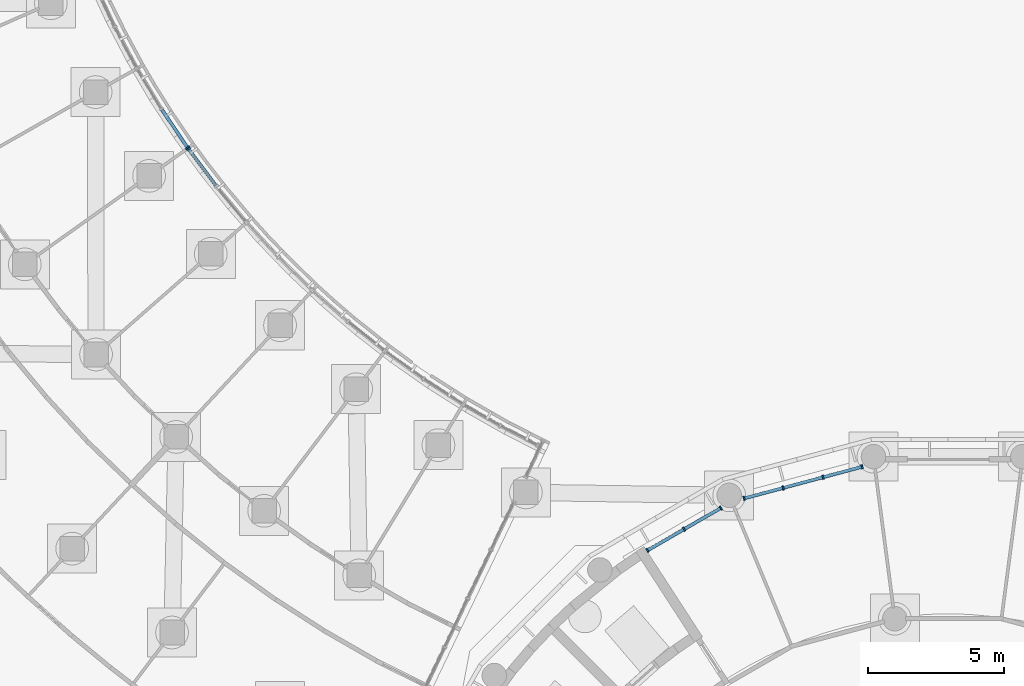
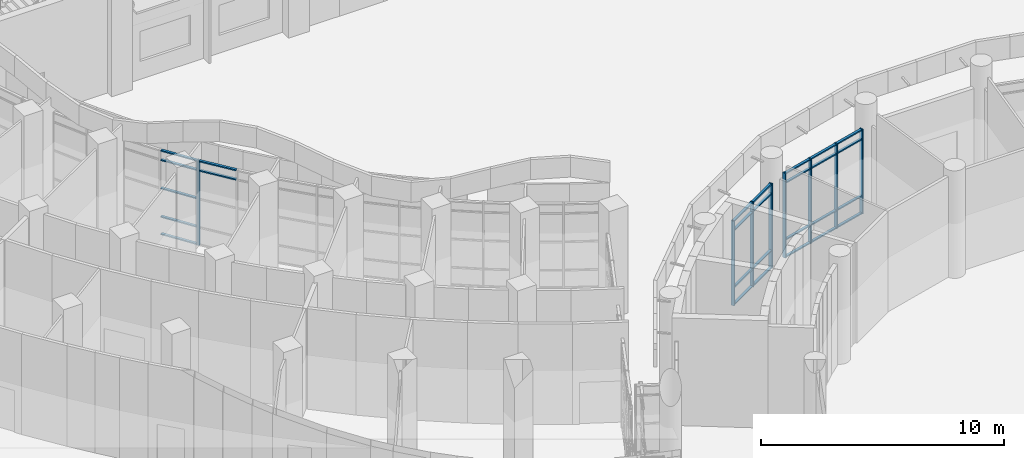
# One storey, part 28 of 146: 36 members, 4 elements without a shape of their own.
"""IFC4 building model written with IfcOpenShell, lengths in metres."""

from ifc_helpers import new_model, si_unit, direction, frame, origin, origin_2d, place, context, subcontext, project, spatial, rectangle, extrude, material, material_profile, profile_set, type_object, element, aggregate, save


model = new_model("IFC4")

# Units and contexts
model_context = context("Model", 3, precision=1e-05, world=origin(), true_north=direction((0.0, 1.0)))
body_context = subcontext(model_context, "Body", "Model", "MODEL_VIEW")
ifc_project = project(units=[si_unit("LENGTHUNIT", "METRE"), si_unit("AREAUNIT", "SQUARE_METRE"), si_unit("VOLUMEUNIT", "CUBIC_METRE"), si_unit("PLANEANGLEUNIT", "RADIAN"), si_unit("MASSUNIT", "GRAM", prefix="KILO")], contexts=[model_context])

# Site, building, storey
site_placement = place(None, origin())
site = spatial("IfcSite", under=ifc_project, at=site_placement, CompositionType="ELEMENT")
building_placement = place(site_placement, origin())
building = spatial("IfcBuilding", under=site, at=building_placement, Name="Bougainvillea Quay General Hospital", CompositionType="ELEMENT")
storey_placement = place(building_placement, origin())
storey = spatial("IfcBuildingStorey", under=building, at=storey_placement, Name="L00", CompositionType="ELEMENT", Elevation=0.0)

# Curtain wall, member
ifc_material_1 = material(Name="Aluminium curtain wall system, powder-coated glazed", Category="aluminium")
curtain_wall_type_1 = type_object("IfcCurtainWallType", Name="Unitised curtain wall CW-2100", PredefinedType="NOTDEFINED", material=ifc_material_1)
curtain_wall_1_placement = place(storey_placement, origin())
curtain_wall_1 = element("IfcCurtainWall", 1, at=curtain_wall_1_placement, inside=storey, type_object=curtain_wall_type_1, Name="CW-W05 a11b4", PredefinedType="NOTDEFINED")
ifc_material_2 = material(Name="Aluminium mullion, powder-coated charcoal", Category="aluminium")
ifc_material_profile_1 = material_profile(ifc_material_2, rectangle(XDim=0.159912109375, YDim=0.06005859375, at=origin_2d()))
ifc_profile_set_1 = profile_set([ifc_material_profile_1], Name="Aluminium mullion, powder-coated charcoal")
member_type_1 = type_object("IfcMemberType", Name="Curtain wall mullion 160x60", PredefinedType="MULLION", material=ifc_profile_set_1)
member_1_placement = place(storey_placement, frame((81.313720703125, 106.1162109375, 0.0), z_axis=(0.0, 0.0, 1.0), x_axis=(-0.799758007688, -0.600322520933, 0.0)))
member_1 = element("IfcMember", 2, at=member_1_placement, type_object=member_type_1, Name="CW-W05 mullion 3", PredefinedType="MULLION", context=body_context, shape_type="SweptSolid", body=[
    extrude(rectangle(XDim=0.159912109375, YDim=0.06005859375, at=origin_2d()), origin(), (0.0, 0.0, 1.0), 4.25),
])

curtain_wall_2_placement = place(storey_placement, origin())
curtain_wall_2 = element("IfcCurtainWall", 3, at=curtain_wall_2_placement, inside=storey, type_object=curtain_wall_type_1, Name="CW-W06 a11b5", PredefinedType="NOTDEFINED")
member_2_placement = place(storey_placement, frame((81.279052734375, 106.1650390625, 0.0), z_axis=(0.0, 0.0, 1.0), x_axis=(-0.82916442806, -0.55900478642, 0.0)))
member_2 = element("IfcMember", 4, at=member_2_placement, type_object=member_type_1, Name="CW-W06 mullion 1", PredefinedType="MULLION", context=body_context, shape_type="SweptSolid", body=[
    extrude(rectangle(XDim=0.159912109375, YDim=0.06005859375, at=origin_2d()), origin(), (0.0, 0.0, 1.0), 4.25),
])

# Curtain wall, members
curtain_wall_type_2 = type_object("IfcCurtainWallType", Name="Unitised curtain wall CW-1514", PredefinedType="NOTDEFINED", material=ifc_material_1)
curtain_wall_3_placement = place(storey_placement, origin())
curtain_wall_3 = element("IfcCurtainWall", 5, at=curtain_wall_3_placement, inside=storey, type_object=curtain_wall_type_2, Name="CW-D 00", PredefinedType="NOTDEFINED")
member_3_placement = place(storey_placement, frame((106.040771484375, 94.448974609375, 0.0), z_axis=(0.0, 0.0, 1.0), x_axis=(0.258854621298, -0.965916292974, 0.0)))
member_3 = element("IfcMember", 6, at=member_3_placement, type_object=member_type_1, Name="CW-D mullion 1", PredefinedType="MULLION", context=body_context, shape_type="SweptSolid", body=[
    extrude(rectangle(XDim=0.159912109375, YDim=0.06005859375, at=origin_2d()), origin(), (0.0, 0.0, 1.0), 4.25),
])
member_4_placement = place(storey_placement, frame((104.607421875, 94.06494140625, 0.0), z_axis=(0.0, 0.0, 1.0), x_axis=(0.258854621298, -0.965916292974, 0.0)))
member_4 = element("IfcMember", 7, at=member_4_placement, type_object=member_type_1, Name="CW-D mullion 2", PredefinedType="MULLION", context=body_context, shape_type="SweptSolid", body=[
    extrude(rectangle(XDim=0.159912109375, YDim=0.06005859375, at=origin_2d()), origin(), (0.0, 0.0, 1.0), 4.25),
])
member_5_placement = place(storey_placement, frame((103.14501953125, 93.673095703125, 0.0), z_axis=(0.0, 0.0, 1.0), x_axis=(0.258854621298, -0.965916292974, 0.0)))
member_5 = element("IfcMember", 8, at=member_5_placement, type_object=member_type_1, Name="CW-D mullion 3", PredefinedType="MULLION", context=body_context, shape_type="SweptSolid", body=[
    extrude(rectangle(XDim=0.159912109375, YDim=0.06005859375, at=origin_2d()), origin(), (0.0, 0.0, 1.0), 4.25),
])
member_6_placement = place(storey_placement, frame((101.711669921875, 93.2890625, 0.0), z_axis=(0.0, 0.0, 1.0), x_axis=(0.258854621298, -0.965916292974, 0.0)))
member_6 = element("IfcMember", 9, at=member_6_placement, type_object=member_type_1, Name="CW-D mullion 4", PredefinedType="MULLION", context=body_context, shape_type="SweptSolid", body=[
    extrude(rectangle(XDim=0.159912109375, YDim=0.06005859375, at=origin_2d()), origin(), (0.0, 0.0, 1.0), 4.25),
])

curtain_wall_type_3 = type_object("IfcCurtainWallType", Name="Unitised curtain wall CW-1585", PredefinedType="NOTDEFINED", material=ifc_material_1)
curtain_wall_4_placement = place(storey_placement, origin())
curtain_wall_4 = element("IfcCurtainWall", 10, at=curtain_wall_4_placement, inside=storey, type_object=curtain_wall_type_3, Name="CW-D 00", PredefinedType="NOTDEFINED")
member_7_placement = place(storey_placement, frame((100.85595703125, 92.9345703125, 0.0), z_axis=(0.0, 0.0, 1.0), x_axis=(0.499964557262, -0.866045865692, 0.0)))
member_7 = element("IfcMember", 11, at=member_7_placement, type_object=member_type_1, Name="CW-D mullion 1", PredefinedType="MULLION", context=body_context, shape_type="SweptSolid", body=[
    extrude(rectangle(XDim=0.159912109375, YDim=0.06005859375, at=origin_2d()), origin(), (0.0, 0.0, 1.0), 4.25),
])
member_8_placement = place(storey_placement, frame((99.50927734375, 92.156982421875, 0.0), z_axis=(0.0, 0.0, 1.0), x_axis=(0.499964557262, -0.866045865692, 0.0)))
member_8 = element("IfcMember", 12, at=member_8_placement, type_object=member_type_1, Name="CW-D mullion 2", PredefinedType="MULLION", context=body_context, shape_type="SweptSolid", body=[
    extrude(rectangle(XDim=0.159912109375, YDim=0.06005859375, at=origin_2d()), origin(), (0.0, 0.0, 1.0), 4.25),
])
member_9_placement = place(storey_placement, frame((98.16259765625, 91.379638671875, 0.0), z_axis=(0.0, 0.0, 1.0), x_axis=(0.499964557262, -0.866045865692, 0.0)))
member_9 = element("IfcMember", 13, at=member_9_placement, type_object=member_type_1, Name="CW-D mullion 3", PredefinedType="MULLION", context=body_context, shape_type="SweptSolid", body=[
    extrude(rectangle(XDim=0.159912109375, YDim=0.06005859375, at=origin_2d()), origin(), (0.0, 0.0, 1.0), 4.25),
])

# Member
ifc_material_3 = material(Name="Aluminium transom, powder-coated charcoal", Category="aluminium")
ifc_material_profile_2 = material_profile(ifc_material_3, rectangle(XDim=0.1201171875, YDim=0.06005859375, at=origin_2d()))
ifc_profile_set_2 = profile_set([ifc_material_profile_2], Name="Aluminium transom, powder-coated charcoal")
member_type_2 = type_object("IfcMemberType", Name="Curtain wall transom 120x60", PredefinedType="USERDEFINED", material=ifc_profile_set_2)
member_10_placement = place(storey_placement, frame((82.320556640625, 104.775146484375, 3.75), z_axis=(-0.600355707015, 0.799733096135, 0.0), x_axis=(-0.799733096135, -0.600355707015, 0.0)))
member_10 = element("IfcMember", 14, at=member_10_placement, type_object=member_type_2, Name="CW-W05 transom 2.4", ObjectType="TRANSOM", PredefinedType="USERDEFINED", context=body_context, shape_type="SweptSolid", body=[
    extrude(rectangle(XDim=0.1201171875, YDim=0.06005859375, at=origin_2d()), origin(), (0.0, 0.0, 1.0), 1.64697265625),
])

member_11_placement = place(storey_placement, frame((82.320556640625, 104.775146484375, 4.219970703125), z_axis=(-0.600355707015, 0.799733096135, 0.0), x_axis=(-0.799733096135, -0.600355707015, 0.0)))
member_11 = element("IfcMember", 15, at=member_11_placement, type_object=member_type_2, Name="CW-W05 transom 2.5", ObjectType="TRANSOM", PredefinedType="USERDEFINED", context=body_context, shape_type="SweptSolid", body=[
    extrude(rectangle(XDim=0.1201171875, YDim=0.06005859375, at=origin_2d()), origin(), (0.0, 0.0, 1.0), 1.64697265625),
])

aggregate(curtain_wall_1, [member_1, member_10, member_11])

member_12_placement = place(storey_placement, frame((81.26220703125, 106.18994140625, 0.030029296875), z_axis=(-0.559037395343, 0.829142442894, 0.0), x_axis=(-0.829142442894, -0.559037395343, 0.0)))
member_12 = element("IfcMember", 16, at=member_12_placement, type_object=member_type_2, Name="CW-W06 transom 1.1", ObjectType="TRANSOM", PredefinedType="USERDEFINED", context=body_context, shape_type="SweptSolid", body=[
    extrude(rectangle(XDim=0.1201171875, YDim=0.06005859375, at=origin_2d()), origin(), (0.0, 0.0, 1.0), 1.64697265625),
])

member_13_placement = place(storey_placement, frame((81.26220703125, 106.18994140625, 0.89990234375), z_axis=(-0.559037395343, 0.829142442894, 0.0), x_axis=(-0.829142442894, -0.559037395343, 0.0)))
member_13 = element("IfcMember", 17, at=member_13_placement, type_object=member_type_2, Name="CW-W06 transom 1.2", ObjectType="TRANSOM", PredefinedType="USERDEFINED", context=body_context, shape_type="SweptSolid", body=[
    extrude(rectangle(XDim=0.1201171875, YDim=0.06005859375, at=origin_2d()), origin(), (0.0, 0.0, 1.0), 1.64697265625),
])

member_14_placement = place(storey_placement, frame((81.26220703125, 106.18994140625, 2.324951171875), z_axis=(-0.559037395343, 0.829142442894, 0.0), x_axis=(-0.829142442894, -0.559037395343, 0.0)))
member_14 = element("IfcMember", 18, at=member_14_placement, type_object=member_type_2, Name="CW-W06 transom 1.3", ObjectType="TRANSOM", PredefinedType="USERDEFINED", context=body_context, shape_type="SweptSolid", body=[
    extrude(rectangle(XDim=0.1201171875, YDim=0.06005859375, at=origin_2d()), origin(), (0.0, 0.0, 1.0), 1.64697265625),
])

member_15_placement = place(storey_placement, frame((81.26220703125, 106.18994140625, 3.75), z_axis=(-0.559037395343, 0.829142442894, 0.0), x_axis=(-0.829142442894, -0.559037395343, 0.0)))
member_15 = element("IfcMember", 19, at=member_15_placement, type_object=member_type_2, Name="CW-W06 transom 1.4", ObjectType="TRANSOM", PredefinedType="USERDEFINED", context=body_context, shape_type="SweptSolid", body=[
    extrude(rectangle(XDim=0.1201171875, YDim=0.06005859375, at=origin_2d()), origin(), (0.0, 0.0, 1.0), 1.64697265625),
])

member_16_placement = place(storey_placement, frame((81.26220703125, 106.18994140625, 4.219970703125), z_axis=(-0.559037395343, 0.829142442894, 0.0), x_axis=(-0.829142442894, -0.559037395343, 0.0)))
member_16 = element("IfcMember", 20, at=member_16_placement, type_object=member_type_2, Name="CW-W06 transom 1.5", ObjectType="TRANSOM", PredefinedType="USERDEFINED", context=body_context, shape_type="SweptSolid", body=[
    extrude(rectangle(XDim=0.1201171875, YDim=0.06005859375, at=origin_2d()), origin(), (0.0, 0.0, 1.0), 1.64697265625),
])

aggregate(curtain_wall_2, [member_2, member_12, member_13, member_14, member_15, member_16])

member_17_placement = place(storey_placement, frame((106.01171875, 94.44140625, 0.030029296875), z_axis=(-0.965898291136, -0.258921785836, 0.0), x_axis=(0.258921785836, -0.965898291136, 0.0)))
member_17 = element("IfcMember", 21, at=member_17_placement, type_object=member_type_2, Name="CW-D transom 1.1", ObjectType="TRANSOM", PredefinedType="USERDEFINED", context=body_context, shape_type="SweptSolid", body=[
    extrude(rectangle(XDim=0.1201171875, YDim=0.06005859375, at=origin_2d()), origin(), (0.0, 0.0, 1.0), 1.423828125),
])

member_18_placement = place(storey_placement, frame((106.01171875, 94.44140625, 0.89990234375), z_axis=(-0.965898291136, -0.258921785836, 0.0), x_axis=(0.258921785836, -0.965898291136, 0.0)))
member_18 = element("IfcMember", 22, at=member_18_placement, type_object=member_type_2, Name="CW-D transom 1.2", ObjectType="TRANSOM", PredefinedType="USERDEFINED", context=body_context, shape_type="SweptSolid", body=[
    extrude(rectangle(XDim=0.1201171875, YDim=0.06005859375, at=origin_2d()), origin(), (0.0, 0.0, 1.0), 1.423828125),
])

member_19_placement = place(storey_placement, frame((106.01171875, 94.44140625, 3.75), z_axis=(-0.965898291136, -0.258921785836, 0.0), x_axis=(0.258921785836, -0.965898291136, 0.0)))
member_19 = element("IfcMember", 23, at=member_19_placement, type_object=member_type_2, Name="CW-D transom 1.3", ObjectType="TRANSOM", PredefinedType="USERDEFINED", context=body_context, shape_type="SweptSolid", body=[
    extrude(rectangle(XDim=0.1201171875, YDim=0.06005859375, at=origin_2d()), origin(), (0.0, 0.0, 1.0), 1.423828125),
])

member_20_placement = place(storey_placement, frame((106.01171875, 94.44140625, 4.219970703125), z_axis=(-0.965898291136, -0.258921785836, 0.0), x_axis=(0.258921785836, -0.965898291136, 0.0)))
member_20 = element("IfcMember", 24, at=member_20_placement, type_object=member_type_2, Name="CW-D transom 1.4", ObjectType="TRANSOM", PredefinedType="USERDEFINED", context=body_context, shape_type="SweptSolid", body=[
    extrude(rectangle(XDim=0.1201171875, YDim=0.06005859375, at=origin_2d()), origin(), (0.0, 0.0, 1.0), 1.423828125),
])

member_21_placement = place(storey_placement, frame((104.578369140625, 94.05712890625, 0.030029296875), z_axis=(-0.965936059001, -0.258780853081, 0.0), x_axis=(0.258780853081, -0.965936059001, 0.0)))
member_21 = element("IfcMember", 25, at=member_21_placement, type_object=member_type_2, Name="CW-D transom 2.1", ObjectType="TRANSOM", PredefinedType="USERDEFINED", context=body_context, shape_type="SweptSolid", body=[
    extrude(rectangle(XDim=0.1201171875, YDim=0.06005859375, at=origin_2d()), origin(), (0.0, 0.0, 1.0), 1.453857421875),
])

member_22_placement = place(storey_placement, frame((104.578369140625, 94.05712890625, 0.89990234375), z_axis=(-0.965936059001, -0.258780853081, 0.0), x_axis=(0.258780853081, -0.965936059001, 0.0)))
member_22 = element("IfcMember", 26, at=member_22_placement, type_object=member_type_2, Name="CW-D transom 2.2", ObjectType="TRANSOM", PredefinedType="USERDEFINED", context=body_context, shape_type="SweptSolid", body=[
    extrude(rectangle(XDim=0.1201171875, YDim=0.06005859375, at=origin_2d()), origin(), (0.0, 0.0, 1.0), 1.453857421875),
])

member_23_placement = place(storey_placement, frame((104.578369140625, 94.05712890625, 3.75), z_axis=(-0.965936059001, -0.258780853081, 0.0), x_axis=(0.258780853081, -0.965936059001, 0.0)))
member_23 = element("IfcMember", 27, at=member_23_placement, type_object=member_type_2, Name="CW-D transom 2.3", ObjectType="TRANSOM", PredefinedType="USERDEFINED", context=body_context, shape_type="SweptSolid", body=[
    extrude(rectangle(XDim=0.1201171875, YDim=0.06005859375, at=origin_2d()), origin(), (0.0, 0.0, 1.0), 1.453857421875),
])

member_24_placement = place(storey_placement, frame((104.578369140625, 94.05712890625, 4.219970703125), z_axis=(-0.965936059001, -0.258780853081, 0.0), x_axis=(0.258780853081, -0.965936059001, 0.0)))
member_24 = element("IfcMember", 28, at=member_24_placement, type_object=member_type_2, Name="CW-D transom 2.4", ObjectType="TRANSOM", PredefinedType="USERDEFINED", context=body_context, shape_type="SweptSolid", body=[
    extrude(rectangle(XDim=0.1201171875, YDim=0.06005859375, at=origin_2d()), origin(), (0.0, 0.0, 1.0), 1.453857421875),
])

member_25_placement = place(storey_placement, frame((103.115966796875, 93.665283203125, 0.030029296875), z_axis=(-0.965898291136, -0.258921785836, 0.0), x_axis=(0.258921785836, -0.965898291136, 0.0)))
member_25 = element("IfcMember", 29, at=member_25_placement, type_object=member_type_2, Name="CW-D transom 3.1", ObjectType="TRANSOM", PredefinedType="USERDEFINED", context=body_context, shape_type="SweptSolid", body=[
    extrude(rectangle(XDim=0.1201171875, YDim=0.06005859375, at=origin_2d()), origin(), (0.0, 0.0, 1.0), 1.423828125),
])

member_26_placement = place(storey_placement, frame((103.115966796875, 93.665283203125, 0.89990234375), z_axis=(-0.965898291136, -0.258921785836, 0.0), x_axis=(0.258921785836, -0.965898291136, 0.0)))
member_26 = element("IfcMember", 30, at=member_26_placement, type_object=member_type_2, Name="CW-D transom 3.2", ObjectType="TRANSOM", PredefinedType="USERDEFINED", context=body_context, shape_type="SweptSolid", body=[
    extrude(rectangle(XDim=0.1201171875, YDim=0.06005859375, at=origin_2d()), origin(), (0.0, 0.0, 1.0), 1.423828125),
])

member_27_placement = place(storey_placement, frame((103.115966796875, 93.665283203125, 3.75), z_axis=(-0.965898291136, -0.258921785836, 0.0), x_axis=(0.258921785836, -0.965898291136, 0.0)))
member_27 = element("IfcMember", 31, at=member_27_placement, type_object=member_type_2, Name="CW-D transom 3.3", ObjectType="TRANSOM", PredefinedType="USERDEFINED", context=body_context, shape_type="SweptSolid", body=[
    extrude(rectangle(XDim=0.1201171875, YDim=0.06005859375, at=origin_2d()), origin(), (0.0, 0.0, 1.0), 1.423828125),
])

member_28_placement = place(storey_placement, frame((103.115966796875, 93.665283203125, 4.219970703125), z_axis=(-0.965898291136, -0.258921785836, 0.0), x_axis=(0.258921785836, -0.965898291136, 0.0)))
member_28 = element("IfcMember", 32, at=member_28_placement, type_object=member_type_2, Name="CW-D transom 3.4", ObjectType="TRANSOM", PredefinedType="USERDEFINED", context=body_context, shape_type="SweptSolid", body=[
    extrude(rectangle(XDim=0.1201171875, YDim=0.06005859375, at=origin_2d()), origin(), (0.0, 0.0, 1.0), 1.423828125),
])

aggregate(curtain_wall_3, [member_3, member_4, member_5, member_6, member_17, member_18, member_19, member_20, member_21, member_22, member_23, member_24, member_25, member_26, member_27, member_28])

member_29_placement = place(storey_placement, frame((100.830078125, 92.91943359375, 0.030029296875), z_axis=(-0.866074087889, -0.499915667175, 0.0), x_axis=(0.499915667175, -0.866074087889, 0.0)))
member_29 = element("IfcMember", 33, at=member_29_placement, type_object=member_type_2, Name="CW-D transom 1.1", ObjectType="TRANSOM", PredefinedType="USERDEFINED", context=body_context, shape_type="SweptSolid", body=[
    extrude(rectangle(XDim=0.1201171875, YDim=0.06005859375, at=origin_2d()), origin(), (0.0, 0.0, 1.0), 1.494873046875),
])

member_30_placement = place(storey_placement, frame((100.830078125, 92.91943359375, 0.89990234375), z_axis=(-0.866074087889, -0.499915667175, 0.0), x_axis=(0.499915667175, -0.866074087889, 0.0)))
member_30 = element("IfcMember", 34, at=member_30_placement, type_object=member_type_2, Name="CW-D transom 1.2", ObjectType="TRANSOM", PredefinedType="USERDEFINED", context=body_context, shape_type="SweptSolid", body=[
    extrude(rectangle(XDim=0.1201171875, YDim=0.06005859375, at=origin_2d()), origin(), (0.0, 0.0, 1.0), 1.494873046875),
])

member_31_placement = place(storey_placement, frame((100.830078125, 92.91943359375, 3.75), z_axis=(-0.866074087889, -0.499915667175, 0.0), x_axis=(0.499915667175, -0.866074087889, 0.0)))
member_31 = element("IfcMember", 35, at=member_31_placement, type_object=member_type_2, Name="CW-D transom 1.3", ObjectType="TRANSOM", PredefinedType="USERDEFINED", context=body_context, shape_type="SweptSolid", body=[
    extrude(rectangle(XDim=0.1201171875, YDim=0.06005859375, at=origin_2d()), origin(), (0.0, 0.0, 1.0), 1.494873046875),
])

member_32_placement = place(storey_placement, frame((100.830078125, 92.91943359375, 4.219970703125), z_axis=(-0.866074087889, -0.499915667175, 0.0), x_axis=(0.499915667175, -0.866074087889, 0.0)))
member_32 = element("IfcMember", 36, at=member_32_placement, type_object=member_type_2, Name="CW-D transom 1.4", ObjectType="TRANSOM", PredefinedType="USERDEFINED", context=body_context, shape_type="SweptSolid", body=[
    extrude(rectangle(XDim=0.1201171875, YDim=0.06005859375, at=origin_2d()), origin(), (0.0, 0.0, 1.0), 1.494873046875),
])

member_33_placement = place(storey_placement, frame((99.4833984375, 92.14208984375, 0.030029296875), z_axis=(-0.866074087889, -0.499915667175, 0.0), x_axis=(0.499915667175, -0.866074087889, 0.0)))
member_33 = element("IfcMember", 37, at=member_33_placement, type_object=member_type_2, Name="CW-D transom 2.1", ObjectType="TRANSOM", PredefinedType="USERDEFINED", context=body_context, shape_type="SweptSolid", body=[
    extrude(rectangle(XDim=0.1201171875, YDim=0.06005859375, at=origin_2d()), origin(), (0.0, 0.0, 1.0), 1.494873046875),
])

member_34_placement = place(storey_placement, frame((99.4833984375, 92.14208984375, 0.89990234375), z_axis=(-0.866074087889, -0.499915667175, 0.0), x_axis=(0.499915667175, -0.866074087889, 0.0)))
member_34 = element("IfcMember", 38, at=member_34_placement, type_object=member_type_2, Name="CW-D transom 2.2", ObjectType="TRANSOM", PredefinedType="USERDEFINED", context=body_context, shape_type="SweptSolid", body=[
    extrude(rectangle(XDim=0.1201171875, YDim=0.06005859375, at=origin_2d()), origin(), (0.0, 0.0, 1.0), 1.494873046875),
])

member_35_placement = place(storey_placement, frame((99.4833984375, 92.14208984375, 3.75), z_axis=(-0.866074087889, -0.499915667175, 0.0), x_axis=(0.499915667175, -0.866074087889, 0.0)))
member_35 = element("IfcMember", 39, at=member_35_placement, type_object=member_type_2, Name="CW-D transom 2.3", ObjectType="TRANSOM", PredefinedType="USERDEFINED", context=body_context, shape_type="SweptSolid", body=[
    extrude(rectangle(XDim=0.1201171875, YDim=0.06005859375, at=origin_2d()), origin(), (0.0, 0.0, 1.0), 1.494873046875),
])

member_36_placement = place(storey_placement, frame((99.4833984375, 92.14208984375, 4.219970703125), z_axis=(-0.866074087889, -0.499915667175, 0.0), x_axis=(0.499915667175, -0.866074087889, 0.0)))
member_36 = element("IfcMember", 40, at=member_36_placement, type_object=member_type_2, Name="CW-D transom 2.4", ObjectType="TRANSOM", PredefinedType="USERDEFINED", context=body_context, shape_type="SweptSolid", body=[
    extrude(rectangle(XDim=0.1201171875, YDim=0.06005859375, at=origin_2d()), origin(), (0.0, 0.0, 1.0), 1.494873046875),
])

aggregate(curtain_wall_4, [member_7, member_8, member_9, member_29, member_30, member_31, member_32, member_33, member_34, member_35, member_36])

save(model, "model.ifc")
